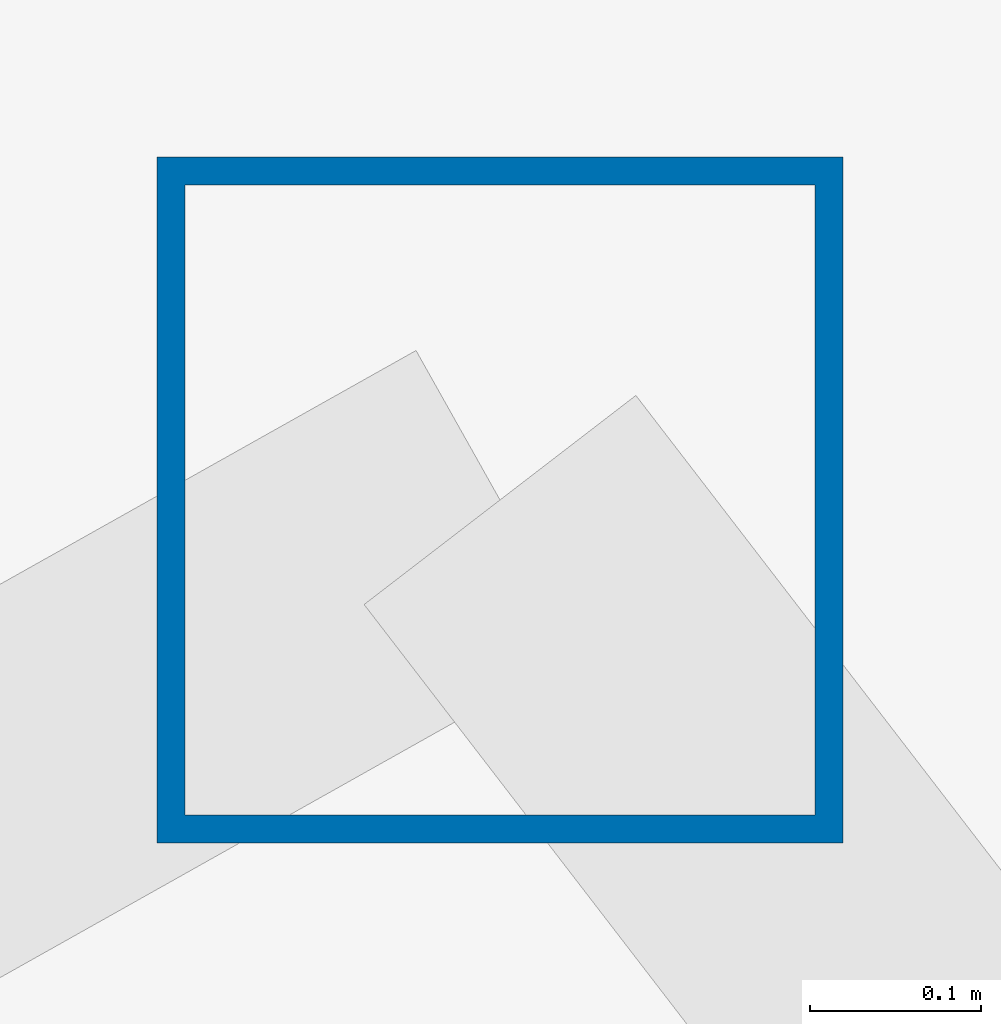
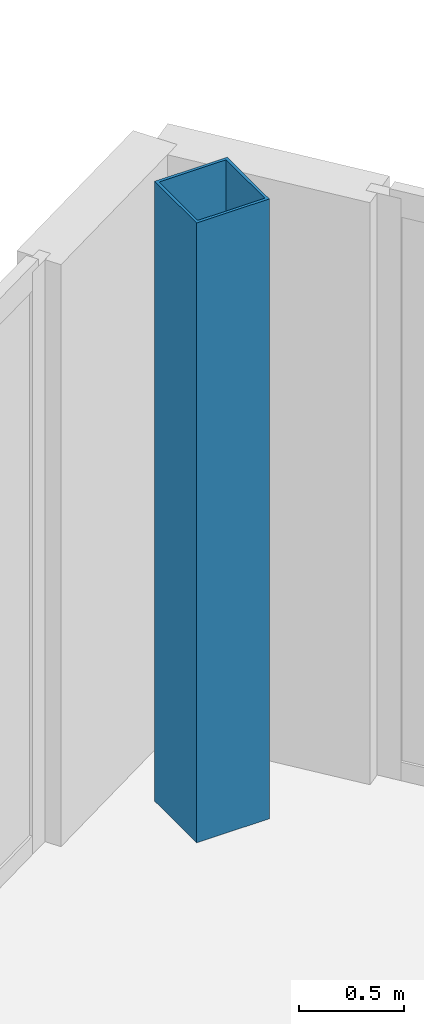
# One storey, part 2 of 25: 1 column.
"""IFC4 building model written with IfcOpenShell, lengths in metres."""

from ifc_helpers import new_model, si_unit, direction, frame, origin, origin_2d, place, context, subcontext, project, spatial, hollow_rectangle, extrude, source, transform, mapped, material, material_profile, profile_set, type_object, type_shapes, element, save


model = new_model("IFC4")

# Units and contexts
model_context = context("Model", 3, precision=1e-05, world=origin(), true_north=direction((0.0, 1.0)))
body_context = subcontext(model_context, "Body", "Model", "MODEL_VIEW")
ifc_project = project(units=[si_unit("LENGTHUNIT", "METRE"), si_unit("AREAUNIT", "SQUARE_METRE"), si_unit("VOLUMEUNIT", "CUBIC_METRE"), si_unit("PLANEANGLEUNIT", "RADIAN"), si_unit("MASSUNIT", "GRAM", prefix="KILO")], contexts=[model_context])

# Site, building, storey
site_placement = place(None, origin())
site = spatial("IfcSite", under=ifc_project, at=site_placement, CompositionType="ELEMENT")
building_placement = place(site_placement, origin())
building = spatial("IfcBuilding", under=site, at=building_placement, Name="Seokmaru Belvedere", CompositionType="ELEMENT")
storey_placement = place(building_placement, frame((0.0, 0.0, 203.10009765625)))
storey = spatial("IfcBuildingStorey", under=building, at=storey_placement, Name="L54", CompositionType="ELEMENT", Elevation=203.10009765625)

# Column
ifc_material = material(Name="Steel SM355 (355 MPa)", Category="steel")
ifc_material_profile = material_profile(ifc_material, hollow_rectangle(XDim=0.39990234375, YDim=0.39990234375, WallThickness=0.01611328125, at=origin_2d()), Name="HSS-400x400x16")
ifc_profile_set = profile_set([ifc_material_profile], Name="Steel SM355 (355 MPa)")
column_type = type_object("IfcColumnType", Name="Perimeter Facet Column HSS-400", PredefinedType="COLUMN", material=ifc_profile_set)
shared_shape = source(origin(), body_context, "Body", "SweptSolid", [
    extrude(hollow_rectangle(XDim=0.39990234375, YDim=0.39990234375, WallThickness=0.01611328125, at=origin_2d()), origin(), (0.0, 0.0, 1.0), 3.599853515625),
])
type_shapes(column_type, [shared_shape])
column_placement = place(storey_placement, frame((-32.649658203125, 21.71044921875, 0.0), z_axis=(0.0, 0.0, 1.0), x_axis=(1.0, 0.0, 0.0)))
element("IfcColumn", 1, at=column_placement, inside=storey, type_object=column_type, Name="L54 Column WF3", PredefinedType="COLUMN", context=body_context, shape_type="MappedRepresentation", body=[
    mapped(shared_shape, transform((0.0, 0.0, 0.0), scale=1.0)),
])

save(model, "model.ifc")
